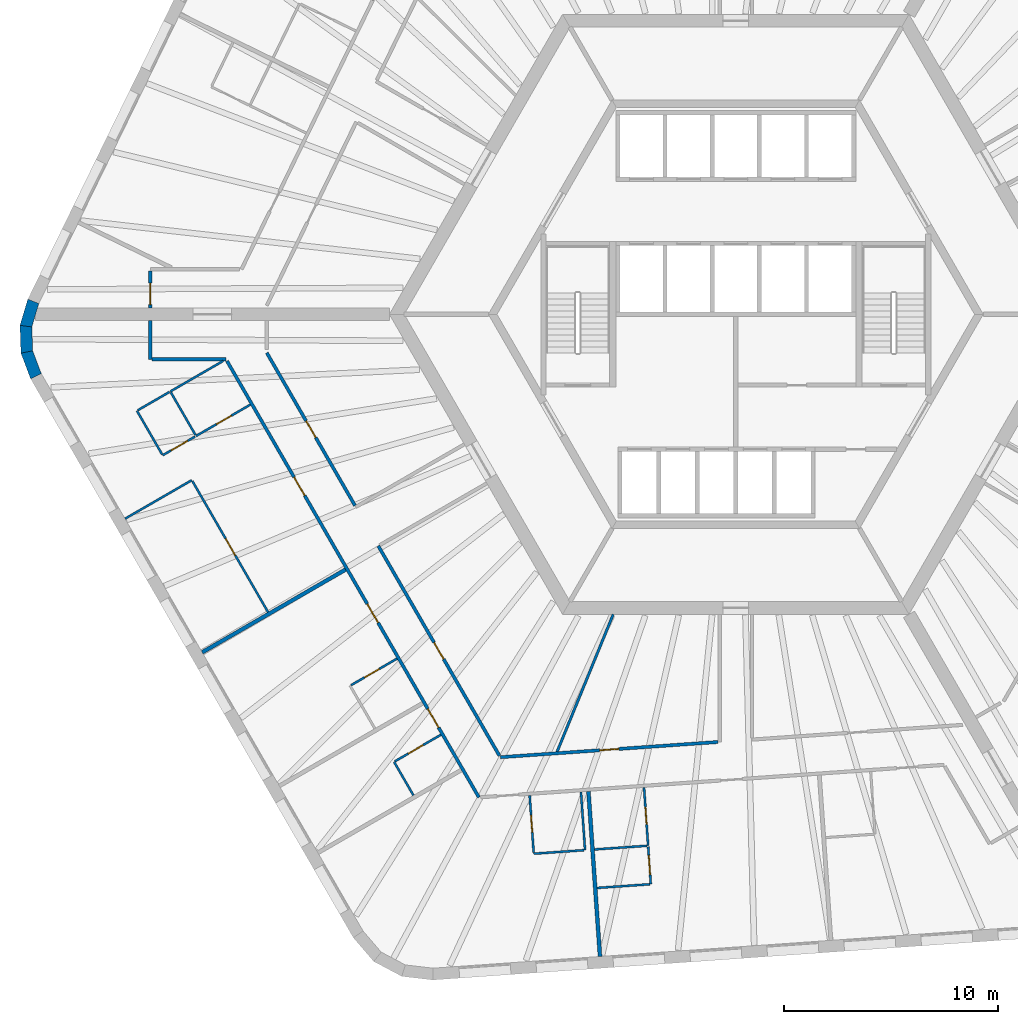
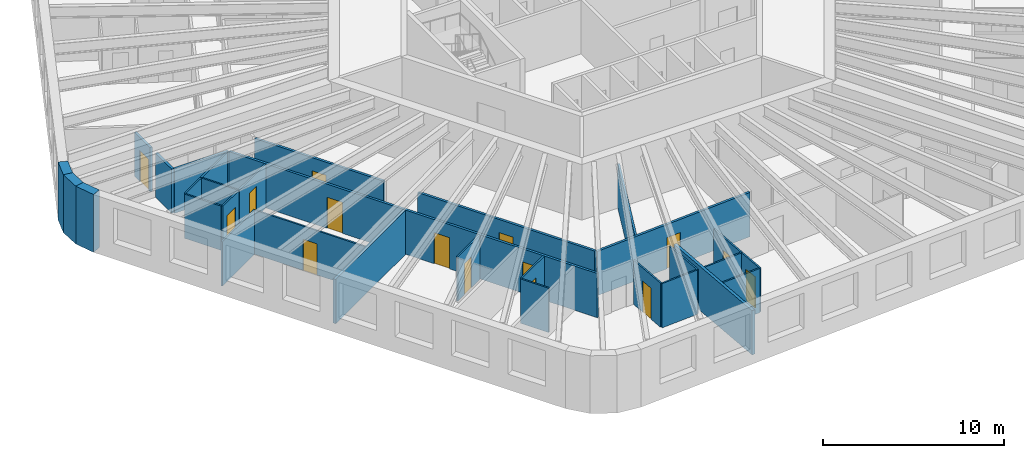
# One storey, part 3 of 12: 31 walls, 15 doors, 15 openings.
"""IFC4 building model written with IfcOpenShell, lengths in metres."""

from ifc_helpers import new_model, si_unit, direction, frame, frame_2d, origin, place, context, subcontext, project, spatial, polyline, rectangle, outline, extrude, material, layer, layer_set, type_object, element, fill, save


model = new_model("IFC4")

# Units and contexts
model_context = context("Model", 3, precision=1e-05, world=origin(), true_north=direction((0.0, 1.0)))
body_context = subcontext(model_context, "Body", "Model", "MODEL_VIEW")
ifc_project = project(units=[si_unit("LENGTHUNIT", "METRE"), si_unit("AREAUNIT", "SQUARE_METRE"), si_unit("VOLUMEUNIT", "CUBIC_METRE"), si_unit("PLANEANGLEUNIT", "RADIAN"), si_unit("MASSUNIT", "GRAM", prefix="KILO")], contexts=[model_context])

# Site, building, storey
site_placement = place(None, origin())
site = spatial("IfcSite", under=ifc_project, at=site_placement, CompositionType="ELEMENT")
building_placement = place(site_placement, origin())
building = spatial("IfcBuilding", under=site, at=building_placement, Name="Tarnside Tower", CompositionType="ELEMENT")
storey_placement = place(building_placement, frame((0.0, 0.0, 88.199951171875)))
storey = spatial("IfcBuildingStorey", under=building, at=storey_placement, Name="L19", CompositionType="ELEMENT", Elevation=88.199951171875)

# Wall
ifc_material_1 = material(Name="Gypsum board partition on steel studs", Category="steel")
ifc_layer_1 = layer(ifc_material_1, 0.10009765625)
ifc_layer_set_1 = layer_set([ifc_layer_1], Name="Bathroom wall 100")
wall_type_1 = type_object("IfcWallType", Name="Bathroom wall 100", PredefinedType="PARTITIONING", material=ifc_layer_set_1)
wall_1_placement = place(storey_placement, frame((-26.385009765625, -3.60009765625, 0.0), z_axis=(0.0, 0.0, 1.0), x_axis=(0.866025820012, 0.499999279071, 0.0)))
element("IfcWall", 1, at=wall_1_placement, inside=storey, type_object=wall_type_1, Name="Bathroom wall 05105", PredefinedType="PARTITIONING", context=body_context, shape_type="SweptSolid", body=[
    extrude(rectangle(XDim=2.85009765625, YDim=0.10009765625, at=frame_2d((1.425048828125, 0.0))), origin(), (0.0, 0.0, 1.0), 2.98779296875),
])

# Wall, opening, door
wall_2_placement = place(storey_placement, frame((-22.65185546875, -4.216064453125, 0.0), z_axis=(0.0, 0.0, 1.0), x_axis=(-0.866025730634, -0.499999433879, 0.0)))
wall_2 = element("IfcWall", 2, at=wall_2_placement, inside=storey, type_object=wall_type_1, Name="Bathroom wall 05106", PredefinedType="PARTITIONING", context=body_context, shape_type="SweptSolid", body=[
    extrude(rectangle(XDim=2.9248046875, YDim=0.10009765625, at=frame_2d((1.46240234375, 0.0))), origin(), (0.0, 0.0, 1.0), 2.98779296875),
])
opening_1_placement = place(wall_2_placement, frame((1.02490234375, 0.0, 0.0)))
opening_1 = element("IfcOpeningElement", 3, at=opening_1_placement, cuts=wall_2, Name="Opening D-B1", PredefinedType="OPENING", context=body_context, shape_type="SweptSolid", body=[
    extrude(rectangle(XDim=0.800048828125, YDim=2.10009765625, at=frame_2d((0.39990234375, 1.050048828125))), frame((0.0, 0.06005859375, 0.0), z_axis=(0.0, -1.0, 0.0), x_axis=(1.0, 0.0, 0.0)), (0.0, 0.0, 1.0), 0.1201171875),
])
ifc_material_2 = material(Name="Timber door leaf", Category="wood")
door_type_1 = type_object("IfcDoorType", Name="Bathroom door 800", OperationType="NOTDEFINED", PredefinedType="DOOR", material=ifc_material_2)
door_1_placement = place(opening_1_placement, origin())
door_1 = element("IfcDoor", 4, at=door_1_placement, inside=storey, type_object=door_type_1, Name="Bathroom door 05016", OperationType="SINGLE_SWING_RIGHT", OverallHeight=2.10009765625, OverallWidth=0.800048828125, PredefinedType="DOOR", context=body_context, shape_type="SweptSolid", body=[
    extrude(rectangle(XDim=0.800048828125, YDim=2.10009765625, at=frame_2d((0.39990234375, 1.050048828125))), frame((0.0, 0.02490234375, 0.0), z_axis=(0.0, -1.0, 0.0), x_axis=(1.0, 0.0, 0.0)), (0.0, 0.0, 1.0), 0.050048828125),
])
fill(opening_1, door_1)

# Wall
wall_3_placement = place(storey_placement, frame((-26.35986328125, -3.643310546875, 0.0), z_axis=(0.0, 0.0, 1.0), x_axis=(0.499952165731, -0.866053019151, 0.0)))
element("IfcWall", 5, at=wall_3_placement, inside=storey, type_object=wall_type_1, Name="Bathroom wall 05113", PredefinedType="PARTITIONING", context=body_context, shape_type="SweptSolid", body=[
    extrude(rectangle(XDim=2.300048828125, YDim=0.10009765625, at=frame_2d((1.14990234375, 0.0))), origin(), (0.0, 0.0, 1.0), 2.98779296875),
])

# Wall, opening, door
wall_4_placement = place(storey_placement, frame((-17.952392578125, -17.3056640625, 0.0), z_axis=(0.0, 0.0, 1.0), x_axis=(0.866031185235, 0.4999899861, 0.0)))
wall_4 = element("IfcWall", 6, at=wall_4_placement, inside=storey, type_object=wall_type_1, Name="Bathroom wall 05116", PredefinedType="PARTITIONING", context=body_context, shape_type="SweptSolid", body=[
    extrude(rectangle(XDim=2.47509765625, YDim=0.10009765625, at=frame_2d((1.237548828125, 0.0))), origin(), (0.0, 0.0, 1.0), 2.98779296875),
])
opening_2_placement = place(wall_4_placement, frame((0.719970703125, 0.0, 0.0)))
opening_2 = element("IfcOpeningElement", 7, at=opening_2_placement, cuts=wall_4, Name="Opening D-B1", PredefinedType="OPENING", context=body_context, shape_type="SweptSolid", body=[
    extrude(rectangle(XDim=0.800048828125, YDim=2.10009765625, at=frame_2d((0.39990234375, 1.050048828125))), frame((0.0, 0.06005859375, 0.0), z_axis=(0.0, -1.0, 0.0), x_axis=(1.0, 0.0, 0.0)), (0.0, 0.0, 1.0), 0.1201171875),
])
door_2_placement = place(opening_2_placement, origin())
door_2 = element("IfcDoor", 8, at=door_2_placement, inside=storey, type_object=door_type_1, Name="Bathroom door 05020", OperationType="SINGLE_SWING_RIGHT", OverallHeight=2.10009765625, OverallWidth=0.800048828125, PredefinedType="DOOR", context=body_context, shape_type="SweptSolid", body=[
    extrude(rectangle(XDim=0.800048828125, YDim=2.10009765625, at=frame_2d((0.39990234375, 1.050048828125))), frame((0.0, 0.02490234375, 0.0), z_axis=(0.0, -1.0, 0.0), x_axis=(1.0, 0.0, 0.0)), (0.0, 0.0, 1.0), 0.050048828125),
])
fill(opening_2, door_2)

# Wall
wall_5_placement = place(storey_placement, frame((-15.04052734375, -22.448974609375, 0.0), z_axis=(0.0, 0.0, 1.0), x_axis=(-0.499983199978, 0.866035103064, 0.0)))
element("IfcWall", 9, at=wall_5_placement, inside=storey, type_object=wall_type_1, Name="Bathroom wall 05119", PredefinedType="PARTITIONING", context=body_context, shape_type="SweptSolid", body=[
    extrude(rectangle(XDim=1.81005859375, YDim=0.10009765625, at=frame_2d((0.905029296875, 0.0))), origin(), (0.0, 0.0, 1.0), 2.98779296875),
])

# Wall, opening, door
wall_6_placement = place(storey_placement, frame((-15.90234375, -20.8564453125, 0.0), z_axis=(0.0, 0.0, 1.0), x_axis=(0.866031185235, 0.4999899861, 0.0)))
wall_6 = element("IfcWall", 10, at=wall_6_placement, inside=storey, type_object=wall_type_1, Name="Bathroom wall 05120", PredefinedType="PARTITIONING", context=body_context, shape_type="SweptSolid", body=[
    extrude(rectangle(XDim=2.47509765625, YDim=0.10009765625, at=frame_2d((1.237548828125, 0.0))), origin(), (0.0, 0.0, 1.0), 2.98779296875),
])
opening_3_placement = place(wall_6_placement, frame((0.719970703125, 0.0, 0.0)))
opening_3 = element("IfcOpeningElement", 11, at=opening_3_placement, cuts=wall_6, Name="Opening D-B1", PredefinedType="OPENING", context=body_context, shape_type="SweptSolid", body=[
    extrude(rectangle(XDim=0.800048828125, YDim=2.10009765625, at=frame_2d((0.39990234375, 1.050048828125))), frame((0.0, 0.06005859375, 0.0), z_axis=(0.0, -1.0, 0.0), x_axis=(1.0, 0.0, 0.0)), (0.0, 0.0, 1.0), 0.1201171875),
])
door_3_placement = place(opening_3_placement, origin())
door_3 = element("IfcDoor", 12, at=door_3_placement, inside=storey, type_object=door_type_1, Name="Bathroom door 05022", OperationType="SINGLE_SWING_RIGHT", OverallHeight=2.10009765625, OverallWidth=0.800048828125, PredefinedType="DOOR", context=body_context, shape_type="SweptSolid", body=[
    extrude(rectangle(XDim=0.800048828125, YDim=2.10009765625, at=frame_2d((0.39990234375, 1.050048828125))), frame((0.0, 0.02490234375, 0.0), z_axis=(0.0, -1.0, 0.0), x_axis=(1.0, 0.0, 0.0)), (0.0, 0.0, 1.0), 0.050048828125),
])
fill(opening_3, door_3)

# Walls
wall_7_placement = place(storey_placement, frame((-7.224365234375, -22.283203125, 0.0), z_axis=(0.0, 0.0, 1.0), x_axis=(0.069795247212, -0.997561338198, 0.0)))
element("IfcWall", 13, at=wall_7_placement, inside=storey, type_object=wall_type_1, Name="Bathroom wall 05123", PredefinedType="PARTITIONING", context=body_context, shape_type="SweptSolid", body=[
    extrude(rectangle(XDim=2.724853515625, YDim=0.10009765625, at=frame_2d((1.3623046875, 0.0))), origin(), (0.0, 0.0, 1.0), 2.98779296875),
])
wall_8_placement = place(storey_placement, frame((-7.083984375, -25.005126953125, 0.0), z_axis=(0.0, 0.0, 1.0), x_axis=(-0.997567715103, -0.06970404424, 0.0)))
element("IfcWall", 14, at=wall_8_placement, inside=storey, type_object=wall_type_1, Name="Bathroom wall 05124", PredefinedType="PARTITIONING", context=body_context, shape_type="SweptSolid", body=[
    extrude(rectangle(XDim=2.35009765625, YDim=0.10009765625, at=frame_2d((1.175048828125, 0.0))), origin(), (0.0, 0.0, 1.0), 2.98779296875),
])

# Wall, opening, door
wall_9_placement = place(storey_placement, frame((-9.431884765625, -25.119140625, 0.0), z_axis=(0.0, 0.0, 1.0), x_axis=(-0.069729221413, 0.997565955554, 0.0)))
wall_9 = element("IfcWall", 15, at=wall_9_placement, inside=storey, type_object=wall_type_1, Name="Bathroom wall 05125", PredefinedType="PARTITIONING", context=body_context, shape_type="SweptSolid", body=[
    extrude(rectangle(XDim=2.675048828125, YDim=0.10009765625, at=frame_2d((1.33740234375, 0.0))), origin(), (0.0, 0.0, 1.0), 2.98779296875),
])
opening_4_placement = place(wall_9_placement, frame((0.949951171875, 0.0, 0.0)))
opening_4 = element("IfcOpeningElement", 16, at=opening_4_placement, cuts=wall_9, Name="Opening D-B1", PredefinedType="OPENING", context=body_context, shape_type="SweptSolid", body=[
    extrude(rectangle(XDim=0.800048828125, YDim=2.10009765625, at=frame_2d((0.39990234375, 1.050048828125))), frame((0.0, 0.06005859375, 0.0), z_axis=(0.0, -1.0, 0.0), x_axis=(1.0, 0.0, 0.0)), (0.0, 0.0, 1.0), 0.1201171875),
])
door_4_placement = place(opening_4_placement, origin())
door_4 = element("IfcDoor", 17, at=door_4_placement, inside=storey, type_object=door_type_1, Name="Bathroom door 05024", OperationType="SINGLE_SWING_LEFT", OverallHeight=2.10009765625, OverallWidth=0.800048828125, PredefinedType="DOOR", context=body_context, shape_type="SweptSolid", body=[
    extrude(rectangle(XDim=0.800048828125, YDim=2.10009765625, at=frame_2d((0.39990234375, 1.050048828125))), frame((0.0, 0.02490234375, 0.0), z_axis=(0.0, -1.0, 0.0), x_axis=(1.0, 0.0, 0.0)), (0.0, 0.0, 1.0), 0.050048828125),
])
fill(opening_4, door_4)

wall_10_placement = place(storey_placement, frame((-4.281494140625, -22.077392578125, 0.0), z_axis=(0.0, 0.0, 1.0), x_axis=(0.069789009646, -0.997561774595, 0.0)))
wall_10 = element("IfcWall", 18, at=wall_10_placement, inside=storey, type_object=wall_type_1, Name="Bathroom wall 05129", PredefinedType="PARTITIONING", context=body_context, shape_type="SweptSolid", body=[
    extrude(rectangle(XDim=2.72509765625, YDim=0.10009765625, at=frame_2d((1.362548828125, 0.0))), origin(), (0.0, 0.0, 1.0), 2.98779296875),
])
opening_5_placement = place(wall_10_placement, frame((0.925048828125, 0.0, 0.0)))
opening_5 = element("IfcOpeningElement", 19, at=opening_5_placement, cuts=wall_10, Name="Opening D-B1", PredefinedType="OPENING", context=body_context, shape_type="SweptSolid", body=[
    extrude(rectangle(XDim=0.800048828125, YDim=2.10009765625, at=frame_2d((0.39990234375, 1.050048828125))), frame((0.0, 0.06005859375, 0.0), z_axis=(0.0, -1.0, 0.0), x_axis=(1.0, 0.0, 0.0)), (0.0, 0.0, 1.0), 0.1201171875),
])
door_5_placement = place(opening_5_placement, origin())
door_5 = element("IfcDoor", 20, at=door_5_placement, inside=storey, type_object=door_type_1, Name="Bathroom door 05026", OperationType="SINGLE_SWING_RIGHT", OverallHeight=2.10009765625, OverallWidth=0.800048828125, PredefinedType="DOOR", context=body_context, shape_type="SweptSolid", body=[
    extrude(rectangle(XDim=0.800048828125, YDim=2.10009765625, at=frame_2d((0.39990234375, 1.050048828125))), frame((0.0, 0.02490234375, 0.0), z_axis=(0.0, -1.0, 0.0), x_axis=(1.0, 0.0, 0.0)), (0.0, 0.0, 1.0), 0.050048828125),
])
fill(opening_5, door_5)

# Wall
wall_11_placement = place(storey_placement, frame((-6.59521484375, -24.970947265625, 0.0), z_axis=(0.0, 0.0, 1.0), x_axis=(0.997562906323, 0.069772830877, 0.0)))
element("IfcWall", 21, at=wall_11_placement, inside=storey, type_object=wall_type_1, Name="Bathroom wall 05134", PredefinedType="PARTITIONING", context=body_context, shape_type="SweptSolid", body=[
    extrude(rectangle(XDim=2.4599609375, YDim=0.10009765625, at=frame_2d((1.22998046875, 0.0))), origin(), (0.0, 0.0, 1.0), 2.98779296875),
])

# Wall, opening, door
ifc_layer_2 = layer(ifc_material_1, 0.14990234375)
ifc_layer_set_2 = layer_set([ifc_layer_2], Name="Corridor wall 150 EI 60")
wall_type_2 = type_object("IfcWallType", Name="Corridor wall 150 EI 60", PredefinedType="PARTITIONING", material=ifc_layer_set_2)
wall_12_placement = place(storey_placement, frame((-27.3203125, 2.02490234375, 0.0), z_axis=(0.0, 0.0, 1.0), x_axis=(0.0, -1.0, 0.0)))
wall_12 = element("IfcWall", 22, at=wall_12_placement, inside=storey, type_object=wall_type_2, Name="Corridor wall 05016", PredefinedType="PARTITIONING", context=body_context, shape_type="SweptSolid", body=[
    extrude(rectangle(XDim=1.724853515625, YDim=0.14990234375, at=frame_2d((0.8623046875, 0.0))), origin(), (0.0, 0.0, 1.0), 2.98779296875),
])
opening_6_placement = place(wall_12_placement, frame((0.574951171875, 0.0, 0.0)))
opening_6 = element("IfcOpeningElement", 23, at=opening_6_placement, cuts=wall_12, Name="Opening D-E1", PredefinedType="OPENING", context=body_context, shape_type="SweptSolid", body=[
    extrude(rectangle(XDim=1.0, YDim=2.10009765625, at=frame_2d((0.5, 1.050048828125))), frame((0.0, 0.0849609375, 0.0), z_axis=(0.0, -1.0, 0.0), x_axis=(1.0, 0.0, 0.0)), (0.0, 0.0, 1.0), 0.169921875),
])
door_type_2 = type_object("IfcDoorType", Name="Unit entrance door 1000 FD30S", OperationType="NOTDEFINED", PredefinedType="DOOR", material=ifc_material_2)
door_6_placement = place(opening_6_placement, origin())
door_6 = element("IfcDoor", 24, at=door_6_placement, inside=storey, type_object=door_type_2, Name="Unit door 05014", OperationType="SINGLE_SWING_LEFT", OverallHeight=2.10009765625, OverallWidth=1.0, PredefinedType="DOOR", context=body_context, shape_type="SweptSolid", body=[
    extrude(rectangle(XDim=1.0, YDim=2.10009765625, at=frame_2d((0.5, 1.050048828125))), frame((0.0, 0.02490234375, 0.0), z_axis=(0.0, -1.0, 0.0), x_axis=(1.0, 0.0, 0.0)), (0.0, 0.0, 1.0), 0.050048828125),
])
fill(opening_6, door_6)

# Walls
wall_13_placement = place(storey_placement, frame((-27.3203125, -0.300048828125, 0.0), z_axis=(0.0, 0.0, 1.0), x_axis=(0.0, -1.0, 0.0)))
element("IfcWall", 25, at=wall_13_placement, inside=storey, type_object=wall_type_2, Name="Corridor wall 05027", PredefinedType="PARTITIONING", context=body_context, shape_type="SweptSolid", body=[
    extrude(rectangle(XDim=1.800048828125, YDim=0.14990234375, at=frame_2d((0.89990234375, 0.0))), origin(), (0.0, 0.0, 1.0), 2.98779296875),
])
wall_14_placement = place(storey_placement, frame((-27.245361328125, -2.10009765625, 0.0), z_axis=(0.0, 0.0, 1.0), x_axis=(1.0, 0.0, 0.0)))
element("IfcWall", 26, at=wall_14_placement, inside=storey, type_object=wall_type_2, Name="Corridor wall 05028", PredefinedType="PARTITIONING", context=body_context, shape_type="SweptSolid", body=[
    extrude(rectangle(XDim=3.45849609375, YDim=0.14990234375, at=frame_2d((1.729248046875, 0.0))), origin(), (0.0, 0.0, 1.0), 2.98779296875),
])

# Wall, openings, doors
wall_15_placement = place(storey_placement, frame((-23.743408203125, -2.175048828125, 0.0), z_axis=(0.0, 0.0, 1.0), x_axis=(0.499992353047, -0.86602981871, 0.0)))
wall_15 = element("IfcWall", 27, at=wall_15_placement, inside=storey, type_object=wall_type_2, Name="Corridor wall 05029", PredefinedType="PARTITIONING", context=body_context, shape_type="SweptSolid", body=[
    extrude(rectangle(XDim=23.516357421875, YDim=0.14990234375, at=frame_2d((11.75830078125, 0.0))), origin(), (0.0, 0.0, 1.0), 2.98779296875),
])
opening_7_placement = place(wall_15_placement, frame((6.25634765625, 0.0, 0.0)))
opening_7 = element("IfcOpeningElement", 28, at=opening_7_placement, cuts=wall_15, Name="Opening D-E1", PredefinedType="OPENING", context=body_context, shape_type="SweptSolid", body=[
    extrude(rectangle(XDim=1.0, YDim=2.10009765625, at=frame_2d((0.5, 1.050048828125))), frame((0.0, 0.0849609375, 0.0), z_axis=(0.0, -1.0, 0.0), x_axis=(1.0, 0.0, 0.0)), (0.0, 0.0, 1.0), 0.169921875),
])
opening_8_placement = place(wall_15_placement, frame((13.09912109375, 0.0, 0.0)))
opening_8 = element("IfcOpeningElement", 29, at=opening_8_placement, cuts=wall_15, Name="Opening D-E1", PredefinedType="OPENING", context=body_context, shape_type="SweptSolid", body=[
    extrude(rectangle(XDim=1.0, YDim=2.10009765625, at=frame_2d((0.5, 1.050048828125))), frame((0.0, 0.0849609375, 0.0), z_axis=(0.0, -1.0, 0.0), x_axis=(1.0, 0.0, 0.0)), (0.0, 0.0, 1.0), 0.169921875),
])
opening_9_placement = place(wall_15_placement, frame((18.749267578125, 0.0, 0.0)))
opening_9 = element("IfcOpeningElement", 30, at=opening_9_placement, cuts=wall_15, Name="Opening D-E1", PredefinedType="OPENING", context=body_context, shape_type="SweptSolid", body=[
    extrude(rectangle(XDim=1.0, YDim=2.10009765625, at=frame_2d((0.5, 1.050048828125))), frame((0.0, 0.0849609375, 0.0), z_axis=(0.0, -1.0, 0.0), x_axis=(1.0, 0.0, 0.0)), (0.0, 0.0, 1.0), 0.169921875),
])
door_7_placement = place(opening_7_placement, origin())
door_7 = element("IfcDoor", 31, at=door_7_placement, inside=storey, type_object=door_type_2, Name="Unit door 05015", OperationType="SINGLE_SWING_LEFT", OverallHeight=2.10009765625, OverallWidth=1.0, PredefinedType="DOOR", context=body_context, shape_type="SweptSolid", body=[
    extrude(rectangle(XDim=1.0, YDim=2.10009765625, at=frame_2d((0.5, 1.050048828125))), frame((0.0, 0.02490234375, 0.0), z_axis=(0.0, -1.0, 0.0), x_axis=(1.0, 0.0, 0.0)), (0.0, 0.0, 1.0), 0.050048828125),
])
fill(opening_7, door_7)
door_8_placement = place(opening_8_placement, origin())
door_8 = element("IfcDoor", 32, at=door_8_placement, inside=storey, type_object=door_type_2, Name="Unit door 05019", OperationType="SINGLE_SWING_LEFT", OverallHeight=2.10009765625, OverallWidth=1.0, PredefinedType="DOOR", context=body_context, shape_type="SweptSolid", body=[
    extrude(rectangle(XDim=1.0, YDim=2.10009765625, at=frame_2d((0.5, 1.050048828125))), frame((0.0, 0.02490234375, 0.0), z_axis=(0.0, -1.0, 0.0), x_axis=(1.0, 0.0, 0.0)), (0.0, 0.0, 1.0), 0.050048828125),
])
fill(opening_8, door_8)
door_9_placement = place(opening_9_placement, origin())
door_9 = element("IfcDoor", 33, at=door_9_placement, inside=storey, type_object=door_type_2, Name="Unit door 05021", OperationType="SINGLE_SWING_RIGHT", OverallHeight=2.10009765625, OverallWidth=1.0, PredefinedType="DOOR", context=body_context, shape_type="SweptSolid", body=[
    extrude(rectangle(XDim=1.0, YDim=2.10009765625, at=frame_2d((0.5, 1.050048828125))), frame((0.0, 0.02490234375, 0.0), z_axis=(0.0, -1.0, 0.0), x_axis=(1.0, 0.0, 0.0)), (0.0, 0.0, 1.0), 0.050048828125),
])
fill(opening_9, door_9)

# Wall, opening, door
wall_16_placement = place(storey_placement, frame((-17.767578125, -8.92578125, 0.0), z_axis=(0.0, 0.0, 1.0), x_axis=(-0.499997033681, 0.866027116383, 0.0)))
wall_16 = element("IfcWall", 34, at=wall_16_placement, inside=storey, type_object=wall_type_2, Name="Corridor wall 05046", PredefinedType="PARTITIONING", context=body_context, shape_type="SweptSolid", body=[
    extrude(rectangle(XDim=8.2353515625, YDim=0.14990234375, at=frame_2d((4.11767578125, 0.0))), origin(), (0.0, 0.0, 1.0), 2.98779296875),
])
opening_10_placement = place(wall_16_placement, frame((3.667724609375, 0.0, 0.0)))
opening_10 = element("IfcOpeningElement", 35, at=opening_10_placement, cuts=wall_16, Name="Opening D-S1", PredefinedType="OPENING", context=body_context, shape_type="SweptSolid", body=[
    extrude(rectangle(XDim=0.89990234375, YDim=2.10009765625, at=frame_2d((0.449951171875, 1.050048828125))), frame((0.0, 0.0849609375, 0.0), z_axis=(0.0, -1.0, 0.0), x_axis=(1.0, 0.0, 0.0)), (0.0, 0.0, 1.0), 0.169921875),
])
door_type_3 = type_object("IfcDoorType", Name="Service room door 900 FD30S", OperationType="NOTDEFINED", PredefinedType="DOOR", material=ifc_material_2)
door_10_placement = place(opening_10_placement, origin())
door_10 = element("IfcDoor", 36, at=door_10_placement, inside=storey, type_object=door_type_3, Name="Service door 05045", OperationType="SINGLE_SWING_RIGHT", OverallHeight=2.10009765625, OverallWidth=0.89990234375, PredefinedType="DOOR", context=body_context, shape_type="SweptSolid", body=[
    extrude(rectangle(XDim=0.89990234375, YDim=2.10009765625, at=frame_2d((0.449951171875, 1.050048828125))), frame((0.0, 0.02490234375, 0.0), z_axis=(0.0, -1.0, 0.0), x_axis=(1.0, 0.0, 0.0)), (0.0, 0.0, 1.0), 0.050048828125),
])
fill(opening_10, door_10)

wall_17_placement = place(storey_placement, frame((-0.824951171875, -19.9560546875, 0.0), z_axis=(0.0, 0.0, 1.0), x_axis=(-0.997562587881, -0.069777383582, 0.0)))
wall_17 = element("IfcWall", 37, at=wall_17_placement, inside=storey, type_object=wall_type_2, Name="Corridor wall 05049", PredefinedType="PARTITIONING", context=body_context, shape_type="SweptSolid", body=[
    extrude(rectangle(XDim=10.188720703125, YDim=0.14990234375, at=frame_2d((5.09423828125, 0.0))), origin(), (0.0, 0.0, 1.0), 2.98779296875),
])
opening_11_placement = place(wall_17_placement, frame((4.644287109375, 0.0, 0.0)))
opening_11 = element("IfcOpeningElement", 38, at=opening_11_placement, cuts=wall_17, Name="Opening D-S1", PredefinedType="OPENING", context=body_context, shape_type="SweptSolid", body=[
    extrude(rectangle(XDim=0.89990234375, YDim=2.10009765625, at=frame_2d((0.449951171875, 1.050048828125))), frame((0.0, 0.0849609375, 0.0), z_axis=(0.0, -1.0, 0.0), x_axis=(1.0, 0.0, 0.0)), (0.0, 0.0, 1.0), 0.169921875),
])
door_11_placement = place(opening_11_placement, origin())
door_11 = element("IfcDoor", 39, at=door_11_placement, inside=storey, type_object=door_type_3, Name="Service door 05046", OperationType="SINGLE_SWING_LEFT", OverallHeight=2.10009765625, OverallWidth=0.89990234375, PredefinedType="DOOR", context=body_context, shape_type="SweptSolid", body=[
    extrude(rectangle(XDim=0.89990234375, YDim=2.10009765625, at=frame_2d((0.449951171875, 1.050048828125))), frame((0.0, 0.02490234375, 0.0), z_axis=(0.0, -1.0, 0.0), x_axis=(1.0, 0.0, 0.0)), (0.0, 0.0, 1.0), 0.050048828125),
])
fill(opening_11, door_11)

wall_18_placement = place(storey_placement, frame((-11.030517578125, -20.5947265625, 0.0), z_axis=(0.0, 0.0, 1.0), x_axis=(-0.499987422378, 0.866032665356, 0.0)))
wall_18 = element("IfcWall", 40, at=wall_18_placement, inside=storey, type_object=wall_type_2, Name="Corridor wall 05051", PredefinedType="PARTITIONING", context=body_context, shape_type="SweptSolid", body=[
    extrude(rectangle(XDim=11.299072265625, YDim=0.14990234375, at=frame_2d((5.6494140625, 0.0))), origin(), (0.0, 0.0, 1.0), 2.98779296875),
])
opening_12_placement = place(wall_18_placement, frame((5.199462890625, 0.0, 0.0)))
opening_12 = element("IfcOpeningElement", 41, at=opening_12_placement, cuts=wall_18, Name="Opening D-S1", PredefinedType="OPENING", context=body_context, shape_type="SweptSolid", body=[
    extrude(rectangle(XDim=0.89990234375, YDim=2.10009765625, at=frame_2d((0.449951171875, 1.050048828125))), frame((0.0, 0.0849609375, 0.0), z_axis=(0.0, -1.0, 0.0), x_axis=(1.0, 0.0, 0.0)), (0.0, 0.0, 1.0), 0.169921875),
])
door_12_placement = place(opening_12_placement, origin())
door_12 = element("IfcDoor", 42, at=door_12_placement, inside=storey, type_object=door_type_3, Name="Service door 05047", OperationType="SINGLE_SWING_RIGHT", OverallHeight=2.10009765625, OverallWidth=0.89990234375, PredefinedType="DOOR", context=body_context, shape_type="SweptSolid", body=[
    extrude(rectangle(XDim=0.89990234375, YDim=2.10009765625, at=frame_2d((0.449951171875, 1.050048828125))), frame((0.0, 0.02490234375, 0.0), z_axis=(0.0, -1.0, 0.0), x_axis=(1.0, 0.0, 0.0)), (0.0, 0.0, 1.0), 0.050048828125),
])
fill(opening_12, door_12)

# Walls
ifc_layer_3 = layer(ifc_material_1, 0.179931640625)
ifc_layer_set_3 = layer_set([ifc_layer_3], Name="Demising wall 180 EI 60")
wall_type_3 = type_object("IfcWallType", Name="Demising wall 180 EI 60", PredefinedType="PARTITIONING", material=ifc_layer_set_3)
wall_19_placement = place(storey_placement, frame((-24.89892578125, -15.773681640625, 0.0), z_axis=(0.0, 0.0, 1.0), x_axis=(0.866032958989, 0.499986913773, 0.0)))
element("IfcWall", 43, at=wall_19_placement, inside=storey, type_object=wall_type_3, Name="Demising wall 05112", PredefinedType="PARTITIONING", context=body_context, shape_type="SweptSolid", body=[
    extrude(rectangle(XDim=7.724853515625, YDim=0.179931640625, at=frame_2d((3.8623046875, 0.0))), origin(), (0.0, 0.0, 1.0), 2.98779296875),
])
wall_20_placement = place(storey_placement, frame((-6.336181640625, -29.965087890625, 0.0), z_axis=(0.0, 0.0, 1.0), x_axis=(-0.069780381152, 0.997562378203, 0.0)))
element("IfcWall", 44, at=wall_20_placement, inside=storey, type_object=wall_type_3, Name="Demising wall 05126", PredefinedType="PARTITIONING", context=body_context, shape_type="SweptSolid", body=[
    extrude(rectangle(XDim=7.72509765625, YDim=0.179931640625, at=frame_2d((3.862548828125, 0.0))), origin(), (0.0, 0.0, 1.0), 2.98779296875),
])

# Wall, opening, door
ifc_layer_4 = layer(ifc_material_1, 0.10009765625)
ifc_layer_set_4 = layer_set([ifc_layer_4], Name="Partition 100")
wall_type_4 = type_object("IfcWallType", Name="Partition 100", PredefinedType="PARTITIONING", material=ifc_layer_set_4)
wall_21_placement = place(storey_placement, frame((-25.228271484375, -5.703369140625, 0.0), z_axis=(0.0, 0.0, 1.0), x_axis=(-0.866002029911, -0.500040482552, 0.0)))
wall_21 = element("IfcWall", 45, at=wall_21_placement, inside=storey, type_object=wall_type_4, Name="Partition wall 05107", PredefinedType="PARTITIONING", context=body_context, shape_type="SweptSolid", body=[
    extrude(rectangle(XDim=1.749755859375, YDim=0.10009765625, at=frame_2d((0.875, 0.0))), origin(), (0.0, 0.0, 1.0), 2.98779296875),
])
opening_13_placement = place(wall_21_placement, frame((0.39990234375, 0.0, 0.0)))
opening_13 = element("IfcOpeningElement", 46, at=opening_13_placement, cuts=wall_21, Name="Opening D-I1", PredefinedType="OPENING", context=body_context, shape_type="SweptSolid", body=[
    extrude(rectangle(XDim=0.89990234375, YDim=2.10009765625, at=frame_2d((0.449951171875, 1.050048828125))), frame((0.0, 0.06005859375, 0.0), z_axis=(0.0, -1.0, 0.0), x_axis=(1.0, 0.0, 0.0)), (0.0, 0.0, 1.0), 0.1201171875),
])
door_type_4 = type_object("IfcDoorType", Name="Internal door 900", OperationType="NOTDEFINED", PredefinedType="DOOR", material=ifc_material_2)
door_13_placement = place(opening_13_placement, origin())
door_13 = element("IfcDoor", 47, at=door_13_placement, inside=storey, type_object=door_type_4, Name="Internal door 05017", OperationType="SINGLE_SWING_LEFT", OverallHeight=2.10009765625, OverallWidth=0.89990234375, PredefinedType="DOOR", context=body_context, shape_type="SweptSolid", body=[
    extrude(rectangle(XDim=0.89990234375, YDim=2.10009765625, at=frame_2d((0.449951171875, 1.050048828125))), frame((0.0, 0.02490234375, 0.0), z_axis=(0.0, -1.0, 0.0), x_axis=(1.0, 0.0, 0.0)), (0.0, 0.0, 1.0), 0.050048828125),
])
fill(opening_13, door_13)

# Walls
wall_22_placement = place(storey_placement, frame((-26.768798828125, -6.53515625, 0.0), z_axis=(0.0, 0.0, 1.0), x_axis=(-0.500016218704, 0.866016039709, 0.0)))
element("IfcWall", 48, at=wall_22_placement, inside=storey, type_object=wall_type_4, Name="Partition wall 05108", PredefinedType="PARTITIONING", context=body_context, shape_type="SweptSolid", body=[
    extrude(rectangle(XDim=2.35009765625, YDim=0.10009765625, at=frame_2d((1.175048828125, 0.0))), origin(), (0.0, 0.0, 1.0), 2.98779296875),
])
wall_23_placement = place(storey_placement, frame((-27.900390625, -4.47509765625, 0.0), z_axis=(0.0, 0.0, 1.0), x_axis=(0.865989465428, 0.500062241894, 0.0)))
element("IfcWall", 49, at=wall_23_placement, inside=storey, type_object=wall_type_4, Name="Partition wall 05109", PredefinedType="PARTITIONING", context=body_context, shape_type="SweptSolid", body=[
    extrude(rectangle(XDim=1.699951171875, YDim=0.10009765625, at=frame_2d((0.85009765625, 0.0))), origin(), (0.0, 0.0, 1.0), 2.98779296875),
])
wall_24_placement = place(storey_placement, frame((-28.4990234375, -9.538330078125, 0.0), z_axis=(0.0, 0.0, 1.0), x_axis=(0.866047807691, 0.499961193289, 0.0)))
element("IfcWall", 50, at=wall_24_placement, inside=storey, type_object=wall_type_4, Name="Partition wall 05110", PredefinedType="PARTITIONING", context=body_context, shape_type="SweptSolid", body=[
    extrude(rectangle(XDim=3.599853515625, YDim=0.10009765625, at=frame_2d((1.7998046875, 0.0))), origin(), (0.0, 0.0, 1.0), 2.98779296875),
])

# Wall, opening, door
wall_25_placement = place(storey_placement, frame((-25.356201171875, -7.78173828125, 0.0), z_axis=(0.0, 0.0, 1.0), x_axis=(0.500010820671, -0.866019156377, 0.0)))
wall_25 = element("IfcWall", 51, at=wall_25_placement, inside=storey, type_object=wall_type_4, Name="Partition wall 05111", PredefinedType="PARTITIONING", context=body_context, shape_type="SweptSolid", body=[
    extrude(rectangle(XDim=7.059814453125, YDim=0.10009765625, at=frame_2d((3.52978515625, 0.0))), origin(), (0.0, 0.0, 1.0), 2.98779296875),
])
opening_14_placement = place(wall_25_placement, frame((3.10009765625, 0.0, 0.0)))
opening_14 = element("IfcOpeningElement", 52, at=opening_14_placement, cuts=wall_25, Name="Opening D-I1", PredefinedType="OPENING", context=body_context, shape_type="SweptSolid", body=[
    extrude(rectangle(XDim=0.89990234375, YDim=2.10009765625, at=frame_2d((0.449951171875, 1.050048828125))), frame((0.0, 0.06005859375, 0.0), z_axis=(0.0, -1.0, 0.0), x_axis=(1.0, 0.0, 0.0)), (0.0, 0.0, 1.0), 0.1201171875),
])
door_14_placement = place(opening_14_placement, origin())
door_14 = element("IfcDoor", 53, at=door_14_placement, inside=storey, type_object=door_type_4, Name="Internal door 05018", OperationType="SINGLE_SWING_LEFT", OverallHeight=2.10009765625, OverallWidth=0.89990234375, PredefinedType="DOOR", context=body_context, shape_type="SweptSolid", body=[
    extrude(rectangle(XDim=0.89990234375, YDim=2.10009765625, at=frame_2d((0.449951171875, 1.050048828125))), frame((0.0, 0.02490234375, 0.0), z_axis=(0.0, -1.0, 0.0), x_axis=(1.0, 0.0, 0.0)), (0.0, 0.0, 1.0), 0.050048828125),
])
fill(opening_14, door_14)

wall_26_placement = place(storey_placement, frame((-4.087890625, -24.845703125, 0.0), z_axis=(0.0, 0.0, 1.0), x_axis=(0.069759707979, -0.997563824095, 0.0)))
wall_26 = element("IfcWall", 54, at=wall_26_placement, inside=storey, type_object=wall_type_4, Name="Partition wall 05130", PredefinedType="PARTITIONING", context=body_context, shape_type="SweptSolid", body=[
    extrude(rectangle(XDim=1.749755859375, YDim=0.10009765625, at=frame_2d((0.875, 0.0))), origin(), (0.0, 0.0, 1.0), 2.98779296875),
])
opening_15_placement = place(wall_26_placement, frame((0.39990234375, 0.0, 0.0)))
opening_15 = element("IfcOpeningElement", 55, at=opening_15_placement, cuts=wall_26, Name="Opening D-I1", PredefinedType="OPENING", context=body_context, shape_type="SweptSolid", body=[
    extrude(rectangle(XDim=0.89990234375, YDim=2.10009765625, at=frame_2d((0.449951171875, 1.050048828125))), frame((0.0, 0.06005859375, 0.0), z_axis=(0.0, -1.0, 0.0), x_axis=(1.0, 0.0, 0.0)), (0.0, 0.0, 1.0), 0.1201171875),
])
door_15_placement = place(opening_15_placement, origin())
door_15 = element("IfcDoor", 56, at=door_15_placement, inside=storey, type_object=door_type_4, Name="Internal door 05027", OperationType="SINGLE_SWING_LEFT", OverallHeight=2.10009765625, OverallWidth=0.89990234375, PredefinedType="DOOR", context=body_context, shape_type="SweptSolid", body=[
    extrude(rectangle(XDim=0.89990234375, YDim=2.10009765625, at=frame_2d((0.449951171875, 1.050048828125))), frame((0.0, 0.02490234375, 0.0), z_axis=(0.0, -1.0, 0.0), x_axis=(1.0, 0.0, 0.0)), (0.0, 0.0, 1.0), 0.050048828125),
])
fill(opening_15, door_15)

# Walls
wall_27_placement = place(storey_placement, frame((-4.015625, -26.594970703125, 0.0), z_axis=(0.0, 0.0, 1.0), x_axis=(-0.997563389425, -0.069765923475, 0.0)))
element("IfcWall", 57, at=wall_27_placement, inside=storey, type_object=wall_type_4, Name="Partition wall 05131", PredefinedType="PARTITIONING", context=body_context, shape_type="SweptSolid", body=[
    extrude(rectangle(XDim=2.460205078125, YDim=0.10009765625, at=frame_2d((1.22998046875, 0.0))), origin(), (0.0, 0.0, 1.0), 2.98779296875),
])
ifc_layer_5 = layer(ifc_material_1, 0.1201171875)
ifc_layer_set_5 = layer_set([ifc_layer_5], Name="Service room wall 120 EI 60")
wall_type_5 = type_object("IfcWallType", Name="Service room wall 120 EI 60", PredefinedType="PARTITIONING", material=ifc_layer_set_5)
wall_28_placement = place(storey_placement, frame((-5.719482421875, -14.0, 0.0), z_axis=(0.0, 0.0, 1.0), x_axis=(-0.378193217714, -0.925726682166, 0.0)))
element("IfcWall", 58, at=wall_28_placement, inside=storey, type_object=wall_type_5, Name="Service wall 05160", PredefinedType="PARTITIONING", context=body_context, shape_type="SweptSolid", body=[
    extrude(rectangle(XDim=6.920166015625, YDim=0.1201171875, at=frame_2d((3.4599609375, 0.0))), origin(), (0.0, 0.0, 1.0), 2.98779296875),
])
ifc_material_3 = material(Name="Facing brick", Category="masonry")
ifc_layer_6 = layer(ifc_material_3, 0.10205078125)
ifc_material_4 = material(Name="Concrete C60/75 precast", Category="concrete")
ifc_layer_7 = layer(ifc_material_4, 0.347900390625)
ifc_material_5 = material(Name="Mineral wool insulation")
ifc_layer_8 = layer(ifc_material_5, 0.10009765625)
ifc_layer_set_6 = layer_set([ifc_layer_6, ifc_layer_7, ifc_layer_8], Name="Tube wall 550 brick faced")
wall_type_6 = type_object("IfcWallType", Name="Tube wall 550 brick faced", PredefinedType="SOLIDWALL", material=ifc_layer_set_6)
wall_29_placement = place(storey_placement, frame((-32.77685546875, 0.605224609375, -0.14990234375), z_axis=(0.0, 0.0, 1.0), x_axis=(-0.286921497463, -0.957954098219, 0.0)))
element("IfcWall", 59, at=wall_29_placement, inside=storey, type_object=wall_type_6, Name="Tube wall L19 F2 chord 05", PredefinedType="SOLIDWALL", context=body_context, shape_type="SweptSolid", body=[
    extrude(outline(polyline([(-0.0224609375, -0.27490234375), (1.25341796875, -0.27490234375), (1.1630859375, 0.27490234375), (0.0224609375, 0.27490234375), (-0.0224609375, -0.27490234375)])), origin(), (0.0, 0.0, 1.0), 3.89990234375),
])
wall_30_placement = place(storey_placement, frame((-33.12353515625, -0.55224609375, -0.14990234375), z_axis=(0.0, 0.0, 1.0), x_axis=(0.03495638276, -0.999388838893, 0.0)))
element("IfcWall", 60, at=wall_30_placement, inside=storey, type_object=wall_type_6, Name="Tube wall L19 F2 chord 06", PredefinedType="SOLIDWALL", context=body_context, shape_type="SweptSolid", body=[
    extrude(outline(polyline([(-0.045166015625, -0.27490234375), (1.25341796875, -0.27490234375), (1.1630859375, 0.27490234375), (0.045166015625, 0.27490234375), (-0.045166015625, -0.27490234375)])), origin(), (0.0, 0.0, 1.0), 3.89990234375),
])
wall_31_placement = place(storey_placement, frame((-33.081298828125, -1.759765625, -0.14990234375), z_axis=(0.0, 0.0, 1.0), x_axis=(0.353027214741, -0.935613053378, 0.0)))
element("IfcWall", 61, at=wall_31_placement, inside=storey, type_object=wall_type_6, Name="Tube wall L19 F2 chord 07", PredefinedType="SOLIDWALL", context=body_context, shape_type="SweptSolid", body=[
    extrude(outline(polyline([(-0.045166015625, -0.27490234375), (1.230712890625, -0.27490234375), (1.185791015625, 0.27490234375), (0.045166015625, 0.27490234375), (-0.045166015625, -0.27490234375)])), origin(), (0.0, 0.0, 1.0), 3.89990234375),
])

save(model, "model.ifc")
